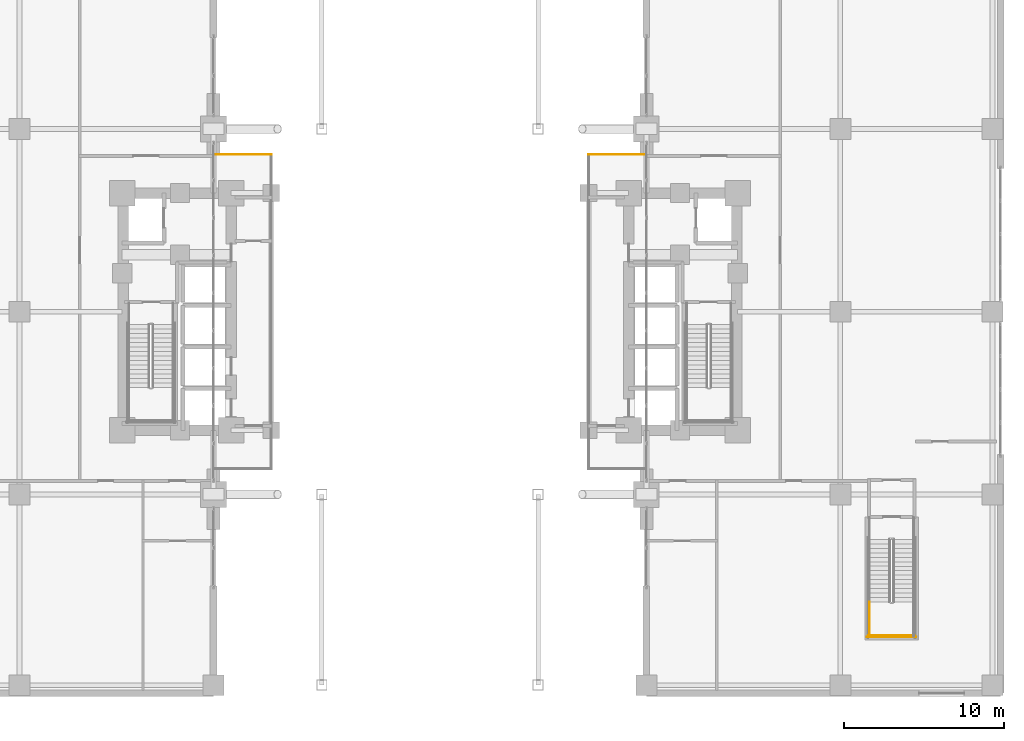
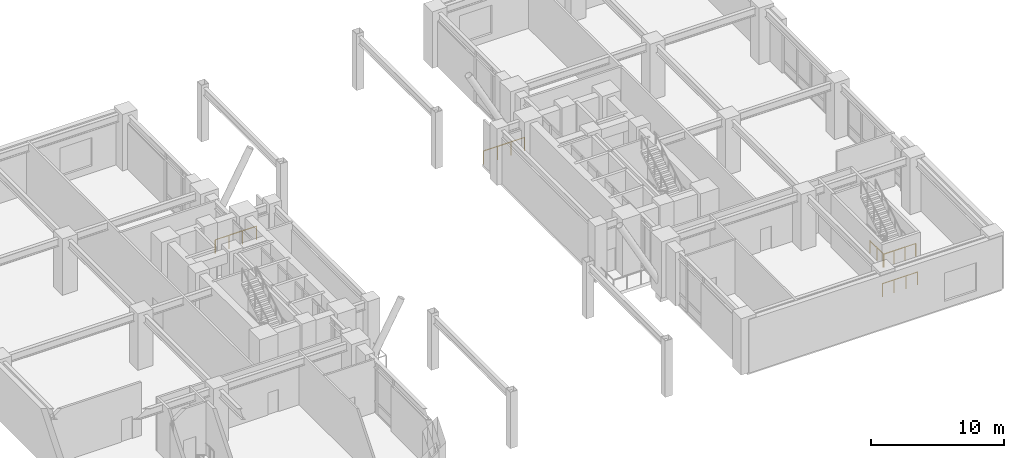
# One storey, part 26 of 27: 5 railings.
"""IFC4 building model written with IfcOpenShell, lengths in metres."""

from ifc_helpers import new_model, si_unit, direction, frame, origin, origin_2d, place, context, subcontext, project, spatial, circle, extrude, material, type_object, element, save


model = new_model("IFC4")

# Units and contexts
model_context = context("Model", 3, precision=1e-05, world=origin(), true_north=direction((0.0, 1.0)))
body_context = subcontext(model_context, "Body", "Model", "MODEL_VIEW")
ifc_project = project(units=[si_unit("LENGTHUNIT", "METRE"), si_unit("AREAUNIT", "SQUARE_METRE"), si_unit("VOLUMEUNIT", "CUBIC_METRE"), si_unit("PLANEANGLEUNIT", "RADIAN"), si_unit("MASSUNIT", "GRAM", prefix="KILO")], contexts=[model_context])

# Site, building, storey
site_placement = place(None, origin())
site = spatial("IfcSite", under=ifc_project, at=site_placement, CompositionType="ELEMENT")
building_placement = place(site_placement, origin())
building = spatial("IfcBuilding", under=site, at=building_placement, Name="Voryun Gate Residences", CompositionType="ELEMENT")
storey_placement = place(building_placement, frame((0.0, 0.0, 5.199951171875)))
storey = spatial("IfcBuildingStorey", under=building, at=storey_placement, Name="L01", CompositionType="ELEMENT", Elevation=5.199951171875)

# Railings
ifc_material_1 = material(Name="Painted steel", Category="steel")
railing_type_1 = type_object("IfcRailingType", Name="RAIL_STAIR_GUARD_1200", PredefinedType="GUARDRAIL", material=ifc_material_1)
railing_1_placement = place(storey_placement, frame((27.425048828125, -18.1201171875, 2.60009765625)))
element("IfcRailing", 1, at=railing_1_placement, inside=storey, type_object=railing_type_1, Name="L01 ST-P2 stair guard 3", PredefinedType="GUARDRAIL", context=body_context, shape_type="SweptSolid", body=[
    extrude(circle(Radius=0.02392578125, at=origin_2d()), frame((0.0, 0.0, 1.17578125), z_axis=(0.0, -1.0, 0.0), x_axis=(1.0, 0.0, 0.0)), (0.0, 0.0, 1.0), 2.1298828125),
    extrude(circle(Radius=0.02099609375, at=origin_2d()), origin(), (0.0, 0.0, 1.0), 1.15185546875),
    extrude(circle(Radius=0.02099609375, at=origin_2d()), frame((0.0, -1.06494140625, 0.0)), (0.0, 0.0, 1.0), 1.15185546875),
    extrude(circle(Radius=0.02099609375, at=origin_2d()), frame((0.0, -2.1298828125, 0.0)), (0.0, 0.0, 1.0), 1.15185546875),
])
railing_2_placement = place(storey_placement, frame((27.375, -20.199951171875, 2.60009765625)))
element("IfcRailing", 2, at=railing_2_placement, inside=storey, type_object=railing_type_1, Name="L01 ST-P2 stair guard 5", PredefinedType="GUARDRAIL", context=body_context, shape_type="SweptSolid", body=[
    extrude(circle(Radius=0.02392578125, at=origin_2d()), frame((0.0, 0.0, 1.17578125), z_axis=(1.0, 0.0, 0.0), x_axis=(0.0, 1.0, 0.0)), (0.0, 0.0, 1.0), 2.85009765625),
    extrude(circle(Radius=0.02099609375, at=origin_2d()), origin(), (0.0, 0.0, 1.0), 1.15185546875),
    extrude(circle(Radius=0.02099609375, at=origin_2d()), frame((0.949951171875, 0.0, 0.0)), (0.0, 0.0, 1.0), 1.15185546875),
    extrude(circle(Radius=0.02099609375, at=origin_2d()), frame((1.900146484375, 0.0, 0.0)), (0.0, 0.0, 1.0), 1.15185546875),
    extrude(circle(Radius=0.02099609375, at=origin_2d()), frame((2.85009765625, 0.0, 0.0)), (0.0, 0.0, 1.0), 1.15185546875),
])
railing_3_placement = place(storey_placement, frame((27.27490234375, -20.300048828125, 0.0)))
element("IfcRailing", 3, at=railing_3_placement, inside=storey, type_object=railing_type_1, Name="L01 ST-P2 stair guard 12", PredefinedType="GUARDRAIL", context=body_context, shape_type="SweptSolid", body=[
    extrude(circle(Radius=0.02392578125, at=origin_2d()), frame((0.0, 0.0, 1.17578125), z_axis=(1.0, 0.0, 0.0), x_axis=(0.0, 1.0, 0.0)), (0.0, 0.0, 1.0), 3.050048828125),
    extrude(circle(Radius=0.02099609375, at=origin_2d()), origin(), (0.0, 0.0, 1.0), 1.15185546875),
    extrude(circle(Radius=0.02099609375, at=origin_2d()), frame((1.0166015625, 0.0, 0.0)), (0.0, 0.0, 1.0), 1.15185546875),
    extrude(circle(Radius=0.02099609375, at=origin_2d()), frame((2.033447265625, 0.0, 0.0)), (0.0, 0.0, 1.0), 1.15185546875),
    extrude(circle(Radius=0.02099609375, at=origin_2d()), frame((3.050048828125, 0.0, 0.0)), (0.0, 0.0, 1.0), 1.15185546875),
])
ifc_material_2 = material(Name="Anodised aluminium", Category="aluminium")
railing_type_2 = type_object("IfcRailingType", Name="RAIL_TERRACE_GUARD_1250", PredefinedType="GUARDRAIL", material=ifc_material_2)
railing_4_placement = place(storey_placement, frame((-9.89990234375, 9.800048828125, 0.0)))
element("IfcRailing", 4, at=railing_4_placement, inside=storey, type_object=railing_type_2, Name="Terrace guard RL-L01-ARCH-W-03", PredefinedType="GUARDRAIL", context=body_context, shape_type="SweptSolid", body=[
    extrude(circle(Radius=0.02392578125, at=origin_2d()), frame((0.0, 0.0, 1.22607421875), z_axis=(-1.0, 0.0, 0.0), x_axis=(0.0, -1.0, 0.0)), (0.0, 0.0, 1.0), 3.580078125),
    extrude(circle(Radius=0.02099609375, at=origin_2d()), origin(), (0.0, 0.0, 1.0), 1.201904296875),
    extrude(circle(Radius=0.02099609375, at=origin_2d()), frame((-1.193359375, 0.0, 0.0)), (0.0, 0.0, 1.0), 1.201904296875),
    extrude(circle(Radius=0.02099609375, at=origin_2d()), frame((-2.38671875, 0.0, 0.0)), (0.0, 0.0, 1.0), 1.201904296875),
    extrude(circle(Radius=0.02099609375, at=origin_2d()), frame((-3.580078125, 0.0, 0.0)), (0.0, 0.0, 1.0), 1.201904296875),
])
railing_5_placement = place(storey_placement, frame((9.89990234375, 9.800048828125, 0.0)))
element("IfcRailing", 5, at=railing_5_placement, inside=storey, type_object=railing_type_2, Name="Terrace guard RL-L01-ARCH-E-03", PredefinedType="GUARDRAIL", context=body_context, shape_type="SweptSolid", body=[
    extrude(circle(Radius=0.02392578125, at=origin_2d()), frame((0.0, 0.0, 1.22607421875), z_axis=(1.0, 0.0, 0.0), x_axis=(0.0, 1.0, 0.0)), (0.0, 0.0, 1.0), 3.580078125),
    extrude(circle(Radius=0.02099609375, at=origin_2d()), origin(), (0.0, 0.0, 1.0), 1.201904296875),
    extrude(circle(Radius=0.02099609375, at=origin_2d()), frame((1.193359375, 0.0, 0.0)), (0.0, 0.0, 1.0), 1.201904296875),
    extrude(circle(Radius=0.02099609375, at=origin_2d()), frame((2.38671875, 0.0, 0.0)), (0.0, 0.0, 1.0), 1.201904296875),
    extrude(circle(Radius=0.02099609375, at=origin_2d()), frame((3.580078125, 0.0, 0.0)), (0.0, 0.0, 1.0), 1.201904296875),
])

save(model, "model.ifc")
